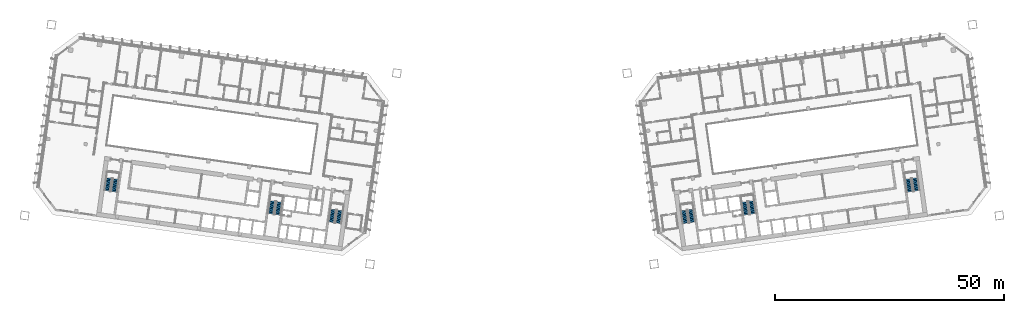
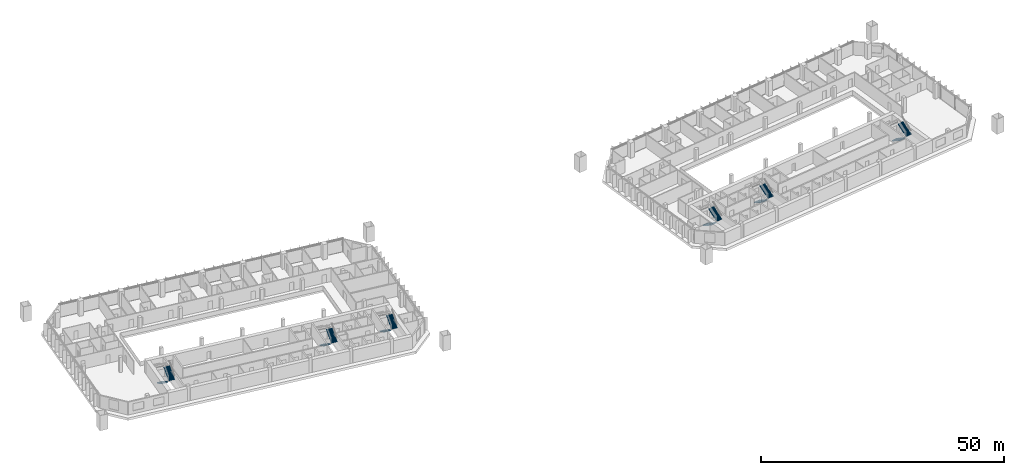
# One storey, part 22 of 24: 12 stair flights, 6 elements without a shape of their own.
"""IFC4 building model written with IfcOpenShell, lengths in metres."""

from ifc_helpers import new_model, si_unit, direction, frame, origin, place, context, subcontext, project, spatial, polyline, outline, extrude, material, type_object, element, aggregate, save


model = new_model("IFC4")

# Units and contexts
model_context = context("Model", 3, precision=1e-05, world=origin(), true_north=direction((0.0, 1.0)))
body_context = subcontext(model_context, "Body", "Model", "MODEL_VIEW")
ifc_project = project(units=[si_unit("LENGTHUNIT", "METRE"), si_unit("AREAUNIT", "SQUARE_METRE"), si_unit("VOLUMEUNIT", "CUBIC_METRE"), si_unit("PLANEANGLEUNIT", "RADIAN"), si_unit("MASSUNIT", "GRAM", prefix="KILO")], contexts=[model_context])

# Site, building, storey
site_placement = place(None, origin())
site = spatial("IfcSite", under=ifc_project, at=site_placement, CompositionType="ELEMENT")
building_placement = place(site_placement, origin())
building = spatial("IfcBuilding", under=site, at=building_placement, Name="Mirante Cascada Hotel Towers", CompositionType="ELEMENT")
storey_placement = place(building_placement, frame((0.0, 0.0, 85.1)))
storey = spatial("IfcBuildingStorey", under=building, at=storey_placement, Name="L18", CompositionType="ELEMENT", Elevation=85.1)

# Stair, stair flights
ifc_material_1 = material(Name="Concrete C35/45", Category="concrete")
stair_type = type_object("IfcStairType", Name="Exit stair half-turn 1350 concrete C35/45", PredefinedType="HALF_TURN_STAIR", material=ifc_material_1)
stair_1_placement = place(storey_placement, origin())
stair_1 = element("IfcStair", 1, at=stair_1_placement, inside=storey, type_object=stair_type, Name="L18 Exit stair A", PredefinedType="HALF_TURN_STAIR")
ifc_material_2 = material(Name="Concrete C35/45", Category="concrete")
stair_flight_type = type_object("IfcStairFlightType", Name="Exit stair flight 1350 concrete C35/45", PredefinedType="STRAIGHT", material=ifc_material_2)
stair_flight_1_placement = place(storey_placement, frame((-38.9417, -11.195, 0.0), z_axis=(0.0, 0.0, 1.0), x_axis=(-0.1391731, -0.9902681, 0.0)))
stair_flight_1 = element("IfcStairFlight", 2, at=stair_flight_1_placement, type_object=stair_flight_type, Name="ST1-A flight 1", NumberOfRisers=11, NumberOfTreads=10, PredefinedType="STRAIGHT", RiserHeight=0.172727273, TreadLength=0.28, context=body_context, shape_type="SweptSolid", body=[
    extrude(outline(polyline([(0.0, 0.0), (0.0, 0.1727), (0.28, 0.1727), (0.28, 0.3455), (0.56, 0.3455), (0.56, 0.5182), (0.84, 0.5182), (0.84, 0.6909), (1.12, 0.6909), (1.12, 0.8636), (1.4, 0.8636), (1.4, 1.0364), (1.68, 1.0364), (1.68, 1.2091), (1.96, 1.2091), (1.96, 1.3818), (2.24, 1.3818), (2.24, 1.5545), (2.52, 1.5545), (2.52, 1.7273), (2.8, 1.7273), (2.8, 1.9), (2.8, 1.551), (0.2857, 0.0), (0.0, 0.0)])), frame((0.0, 0.675, 0.0), z_axis=(0.0, -1.0, 0.0), x_axis=(1.0, 0.0, 0.0)), (0.0, 0.0, 1.0), 1.35),
])
stair_flight_2_placement = place(storey_placement, frame((-37.846, -14.1765, 1.9), z_axis=(0.0, 0.0, 1.0), x_axis=(0.1391731, 0.9902681, 0.0)))
stair_flight_2 = element("IfcStairFlight", 3, at=stair_flight_2_placement, type_object=stair_flight_type, Name="ST1-A flight 2", NumberOfRisers=11, NumberOfTreads=10, PredefinedType="STRAIGHT", RiserHeight=0.172727273, TreadLength=0.28, context=body_context, shape_type="SweptSolid", body=[
    extrude(outline(polyline([(0.0, 0.0), (0.0, 0.1727), (0.28, 0.1727), (0.28, 0.3455), (0.56, 0.3455), (0.56, 0.5182), (0.84, 0.5182), (0.84, 0.6909), (1.12, 0.6909), (1.12, 0.8636), (1.4, 0.8636), (1.4, 1.0364), (1.68, 1.0364), (1.68, 1.2091), (1.96, 1.2091), (1.96, 1.3818), (2.24, 1.3818), (2.24, 1.5545), (2.52, 1.5545), (2.52, 1.7273), (2.8, 1.7273), (2.8, 1.9), (2.8, 1.551), (0.2857, 0.0), (0.0, 0.0)])), frame((0.0, 0.675, 0.0), z_axis=(0.0, -1.0, 0.0), x_axis=(1.0, 0.0, 0.0)), (0.0, 0.0, 1.0), 1.35),
])
aggregate(stair_1, [stair_flight_1, stair_flight_2])

stair_2_placement = place(storey_placement, origin())
stair_2 = element("IfcStair", 4, at=stair_2_placement, inside=storey, type_object=stair_type, Name="L18 Exit stair B", PredefinedType="HALF_TURN_STAIR")
stair_flight_3_placement = place(storey_placement, frame((-52.1618, -9.3371, 0.0), z_axis=(0.0, 0.0, 1.0), x_axis=(-0.1391731, -0.9902681, 0.0)))
stair_flight_3 = element("IfcStairFlight", 5, at=stair_flight_3_placement, type_object=stair_flight_type, Name="ST1-B flight 1", NumberOfRisers=11, NumberOfTreads=10, PredefinedType="STRAIGHT", RiserHeight=0.172727273, TreadLength=0.28, context=body_context, shape_type="SweptSolid", body=[
    extrude(outline(polyline([(0.0, 0.0), (0.0, 0.1727), (0.28, 0.1727), (0.28, 0.3455), (0.56, 0.3455), (0.56, 0.5182), (0.84, 0.5182), (0.84, 0.6909), (1.12, 0.6909), (1.12, 0.8636), (1.4, 0.8636), (1.4, 1.0364), (1.68, 1.0364), (1.68, 1.2091), (1.96, 1.2091), (1.96, 1.3818), (2.24, 1.3818), (2.24, 1.5545), (2.52, 1.5545), (2.52, 1.7273), (2.8, 1.7273), (2.8, 1.9), (2.8, 1.551), (0.2857, 0.0), (0.0, 0.0)])), frame((0.0, 0.675, 0.0), z_axis=(0.0, -1.0, 0.0), x_axis=(1.0, 0.0, 0.0)), (0.0, 0.0, 1.0), 1.35),
])
stair_flight_4_placement = place(storey_placement, frame((-51.0661, -12.3186, 1.9), z_axis=(0.0, 0.0, 1.0), x_axis=(0.1391731, 0.9902681, 0.0)))
stair_flight_4 = element("IfcStairFlight", 6, at=stair_flight_4_placement, type_object=stair_flight_type, Name="ST1-B flight 2", NumberOfRisers=11, NumberOfTreads=10, PredefinedType="STRAIGHT", RiserHeight=0.172727273, TreadLength=0.28, context=body_context, shape_type="SweptSolid", body=[
    extrude(outline(polyline([(0.0, 0.0), (0.0, 0.1727), (0.28, 0.1727), (0.28, 0.3455), (0.56, 0.3455), (0.56, 0.5182), (0.84, 0.5182), (0.84, 0.6909), (1.12, 0.6909), (1.12, 0.8636), (1.4, 0.8636), (1.4, 1.0364), (1.68, 1.0364), (1.68, 1.2091), (1.96, 1.2091), (1.96, 1.3818), (2.24, 1.3818), (2.24, 1.5545), (2.52, 1.5545), (2.52, 1.7273), (2.8, 1.7273), (2.8, 1.9), (2.8, 1.551), (0.2857, 0.0), (0.0, 0.0)])), frame((0.0, 0.675, 0.0), z_axis=(0.0, -1.0, 0.0), x_axis=(1.0, 0.0, 0.0)), (0.0, 0.0, 1.0), 1.35),
])
aggregate(stair_2, [stair_flight_3, stair_flight_4])

stair_3_placement = place(storey_placement, origin())
stair_3 = element("IfcStair", 7, at=stair_3_placement, inside=storey, type_object=stair_type, Name="L18 Exit stair C", PredefinedType="HALF_TURN_STAIR")
stair_flight_5_placement = place(storey_placement, frame((-87.8115, -4.3268, 0.0), z_axis=(0.0, 0.0, 1.0), x_axis=(-0.1391731, -0.9902681, 0.0)))
stair_flight_5 = element("IfcStairFlight", 8, at=stair_flight_5_placement, type_object=stair_flight_type, Name="ST1-C flight 1", NumberOfRisers=11, NumberOfTreads=10, PredefinedType="STRAIGHT", RiserHeight=0.172727273, TreadLength=0.28, context=body_context, shape_type="SweptSolid", body=[
    extrude(outline(polyline([(0.0, 0.0), (0.0, 0.1727), (0.28, 0.1727), (0.28, 0.3455), (0.56, 0.3455), (0.56, 0.5182), (0.84, 0.5182), (0.84, 0.6909), (1.12, 0.6909), (1.12, 0.8636), (1.4, 0.8636), (1.4, 1.0364), (1.68, 1.0364), (1.68, 1.2091), (1.96, 1.2091), (1.96, 1.3818), (2.24, 1.3818), (2.24, 1.5545), (2.52, 1.5545), (2.52, 1.7273), (2.8, 1.7273), (2.8, 1.9), (2.8, 1.551), (0.2857, 0.0), (0.0, 0.0)])), frame((0.0, 0.675, 0.0), z_axis=(0.0, -1.0, 0.0), x_axis=(1.0, 0.0, 0.0)), (0.0, 0.0, 1.0), 1.35),
])
stair_flight_6_placement = place(storey_placement, frame((-86.7157, -7.3084, 1.9), z_axis=(0.0, 0.0, 1.0), x_axis=(0.1391731, 0.9902681, 0.0)))
stair_flight_6 = element("IfcStairFlight", 9, at=stair_flight_6_placement, type_object=stair_flight_type, Name="ST1-C flight 2", NumberOfRisers=11, NumberOfTreads=10, PredefinedType="STRAIGHT", RiserHeight=0.172727273, TreadLength=0.28, context=body_context, shape_type="SweptSolid", body=[
    extrude(outline(polyline([(0.0, 0.0), (0.0, 0.1727), (0.28, 0.1727), (0.28, 0.3455), (0.56, 0.3455), (0.56, 0.5182), (0.84, 0.5182), (0.84, 0.6909), (1.12, 0.6909), (1.12, 0.8636), (1.4, 0.8636), (1.4, 1.0364), (1.68, 1.0364), (1.68, 1.2091), (1.96, 1.2091), (1.96, 1.3818), (2.24, 1.3818), (2.24, 1.5545), (2.52, 1.5545), (2.52, 1.7273), (2.8, 1.7273), (2.8, 1.9), (2.8, 1.551), (0.2857, 0.0), (0.0, 0.0)])), frame((0.0, 0.675, 0.0), z_axis=(0.0, -1.0, 0.0), x_axis=(1.0, 0.0, 0.0)), (0.0, 0.0, 1.0), 1.35),
])
aggregate(stair_3, [stair_flight_5, stair_flight_6])

stair_4_placement = place(storey_placement, origin())
stair_4 = element("IfcStair", 10, at=stair_4_placement, inside=storey, type_object=stair_type, Name="L18 Exit stair A", PredefinedType="HALF_TURN_STAIR")
stair_flight_7_placement = place(storey_placement, frame((37.4563, -11.4038, 0.0), z_axis=(0.0, 0.0, 1.0), x_axis=(0.1391731, -0.9902681, 0.0)))
stair_flight_7 = element("IfcStairFlight", 11, at=stair_flight_7_placement, type_object=stair_flight_type, Name="ST2-A flight 1", NumberOfRisers=11, NumberOfTreads=10, PredefinedType="STRAIGHT", RiserHeight=0.172727273, TreadLength=0.28, context=body_context, shape_type="SweptSolid", body=[
    extrude(outline(polyline([(0.0, 0.0), (0.0, 0.1727), (0.28, 0.1727), (0.28, 0.3455), (0.56, 0.3455), (0.56, 0.5182), (0.84, 0.5182), (0.84, 0.6909), (1.12, 0.6909), (1.12, 0.8636), (1.4, 0.8636), (1.4, 1.0364), (1.68, 1.0364), (1.68, 1.2091), (1.96, 1.2091), (1.96, 1.3818), (2.24, 1.3818), (2.24, 1.5545), (2.52, 1.5545), (2.52, 1.7273), (2.8, 1.7273), (2.8, 1.9), (2.8, 1.551), (0.2857, 0.0), (0.0, 0.0)])), frame((0.0, 0.675, 0.0), z_axis=(0.0, -1.0, 0.0), x_axis=(1.0, 0.0, 0.0)), (0.0, 0.0, 1.0), 1.35),
])
stair_flight_8_placement = place(storey_placement, frame((39.3314, -13.9678, 1.9), z_axis=(0.0, 0.0, 1.0), x_axis=(-0.1391731, 0.9902681, 0.0)))
stair_flight_8 = element("IfcStairFlight", 12, at=stair_flight_8_placement, type_object=stair_flight_type, Name="ST2-A flight 2", NumberOfRisers=11, NumberOfTreads=10, PredefinedType="STRAIGHT", RiserHeight=0.172727273, TreadLength=0.28, context=body_context, shape_type="SweptSolid", body=[
    extrude(outline(polyline([(0.0, 0.0), (0.0, 0.1727), (0.28, 0.1727), (0.28, 0.3455), (0.56, 0.3455), (0.56, 0.5182), (0.84, 0.5182), (0.84, 0.6909), (1.12, 0.6909), (1.12, 0.8636), (1.4, 0.8636), (1.4, 1.0364), (1.68, 1.0364), (1.68, 1.2091), (1.96, 1.2091), (1.96, 1.3818), (2.24, 1.3818), (2.24, 1.5545), (2.52, 1.5545), (2.52, 1.7273), (2.8, 1.7273), (2.8, 1.9), (2.8, 1.551), (0.2857, 0.0), (0.0, 0.0)])), frame((0.0, 0.675, 0.0), z_axis=(0.0, -1.0, 0.0), x_axis=(1.0, 0.0, 0.0)), (0.0, 0.0, 1.0), 1.35),
])
aggregate(stair_4, [stair_flight_7, stair_flight_8])

stair_5_placement = place(storey_placement, origin())
stair_5 = element("IfcStair", 13, at=stair_5_placement, inside=storey, type_object=stair_type, Name="L18 Exit stair B", PredefinedType="HALF_TURN_STAIR")
stair_flight_9_placement = place(storey_placement, frame((50.6764, -9.5458, 0.0), z_axis=(0.0, 0.0, 1.0), x_axis=(0.1391731, -0.9902681, 0.0)))
stair_flight_9 = element("IfcStairFlight", 14, at=stair_flight_9_placement, type_object=stair_flight_type, Name="ST2-B flight 1", NumberOfRisers=11, NumberOfTreads=10, PredefinedType="STRAIGHT", RiserHeight=0.172727273, TreadLength=0.28, context=body_context, shape_type="SweptSolid", body=[
    extrude(outline(polyline([(0.0, 0.0), (0.0, 0.1727), (0.28, 0.1727), (0.28, 0.3455), (0.56, 0.3455), (0.56, 0.5182), (0.84, 0.5182), (0.84, 0.6909), (1.12, 0.6909), (1.12, 0.8636), (1.4, 0.8636), (1.4, 1.0364), (1.68, 1.0364), (1.68, 1.2091), (1.96, 1.2091), (1.96, 1.3818), (2.24, 1.3818), (2.24, 1.5545), (2.52, 1.5545), (2.52, 1.7273), (2.8, 1.7273), (2.8, 1.9), (2.8, 1.551), (0.2857, 0.0), (0.0, 0.0)])), frame((0.0, 0.675, 0.0), z_axis=(0.0, -1.0, 0.0), x_axis=(1.0, 0.0, 0.0)), (0.0, 0.0, 1.0), 1.35),
])
stair_flight_10_placement = place(storey_placement, frame((52.5515, -12.1098, 1.9), z_axis=(0.0, 0.0, 1.0), x_axis=(-0.1391731, 0.9902681, 0.0)))
stair_flight_10 = element("IfcStairFlight", 15, at=stair_flight_10_placement, type_object=stair_flight_type, Name="ST2-B flight 2", NumberOfRisers=11, NumberOfTreads=10, PredefinedType="STRAIGHT", RiserHeight=0.172727273, TreadLength=0.28, context=body_context, shape_type="SweptSolid", body=[
    extrude(outline(polyline([(0.0, 0.0), (0.0, 0.1727), (0.28, 0.1727), (0.28, 0.3455), (0.56, 0.3455), (0.56, 0.5182), (0.84, 0.5182), (0.84, 0.6909), (1.12, 0.6909), (1.12, 0.8636), (1.4, 0.8636), (1.4, 1.0364), (1.68, 1.0364), (1.68, 1.2091), (1.96, 1.2091), (1.96, 1.3818), (2.24, 1.3818), (2.24, 1.5545), (2.52, 1.5545), (2.52, 1.7273), (2.8, 1.7273), (2.8, 1.9), (2.8, 1.551), (0.2857, 0.0), (0.0, 0.0)])), frame((0.0, 0.675, 0.0), z_axis=(0.0, -1.0, 0.0), x_axis=(1.0, 0.0, 0.0)), (0.0, 0.0, 1.0), 1.35),
])
aggregate(stair_5, [stair_flight_9, stair_flight_10])

stair_6_placement = place(storey_placement, origin())
stair_6 = element("IfcStair", 16, at=stair_6_placement, inside=storey, type_object=stair_type, Name="L18 Exit stair C", PredefinedType="HALF_TURN_STAIR")
stair_flight_11_placement = place(storey_placement, frame((86.326, -4.5356, 0.0), z_axis=(0.0, 0.0, 1.0), x_axis=(0.1391731, -0.9902681, 0.0)))
stair_flight_11 = element("IfcStairFlight", 17, at=stair_flight_11_placement, type_object=stair_flight_type, Name="ST2-C flight 1", NumberOfRisers=11, NumberOfTreads=10, PredefinedType="STRAIGHT", RiserHeight=0.172727273, TreadLength=0.28, context=body_context, shape_type="SweptSolid", body=[
    extrude(outline(polyline([(0.0, 0.0), (0.0, 0.1727), (0.28, 0.1727), (0.28, 0.3455), (0.56, 0.3455), (0.56, 0.5182), (0.84, 0.5182), (0.84, 0.6909), (1.12, 0.6909), (1.12, 0.8636), (1.4, 0.8636), (1.4, 1.0364), (1.68, 1.0364), (1.68, 1.2091), (1.96, 1.2091), (1.96, 1.3818), (2.24, 1.3818), (2.24, 1.5545), (2.52, 1.5545), (2.52, 1.7273), (2.8, 1.7273), (2.8, 1.9), (2.8, 1.551), (0.2857, 0.0), (0.0, 0.0)])), frame((0.0, 0.675, 0.0), z_axis=(0.0, -1.0, 0.0), x_axis=(1.0, 0.0, 0.0)), (0.0, 0.0, 1.0), 1.35),
])
stair_flight_12_placement = place(storey_placement, frame((88.2011, -7.0996, 1.9), z_axis=(0.0, 0.0, 1.0), x_axis=(-0.1391731, 0.9902681, 0.0)))
stair_flight_12 = element("IfcStairFlight", 18, at=stair_flight_12_placement, type_object=stair_flight_type, Name="ST2-C flight 2", NumberOfRisers=11, NumberOfTreads=10, PredefinedType="STRAIGHT", RiserHeight=0.172727273, TreadLength=0.28, context=body_context, shape_type="SweptSolid", body=[
    extrude(outline(polyline([(0.0, 0.0), (0.0, 0.1727), (0.28, 0.1727), (0.28, 0.3455), (0.56, 0.3455), (0.56, 0.5182), (0.84, 0.5182), (0.84, 0.6909), (1.12, 0.6909), (1.12, 0.8636), (1.4, 0.8636), (1.4, 1.0364), (1.68, 1.0364), (1.68, 1.2091), (1.96, 1.2091), (1.96, 1.3818), (2.24, 1.3818), (2.24, 1.5545), (2.52, 1.5545), (2.52, 1.7273), (2.8, 1.7273), (2.8, 1.9), (2.8, 1.551), (0.2857, 0.0), (0.0, 0.0)])), frame((0.0, 0.675, 0.0), z_axis=(0.0, -1.0, 0.0), x_axis=(1.0, 0.0, 0.0)), (0.0, 0.0, 1.0), 1.35),
])
aggregate(stair_6, [stair_flight_11, stair_flight_12])

save(model, "model.ifc")
